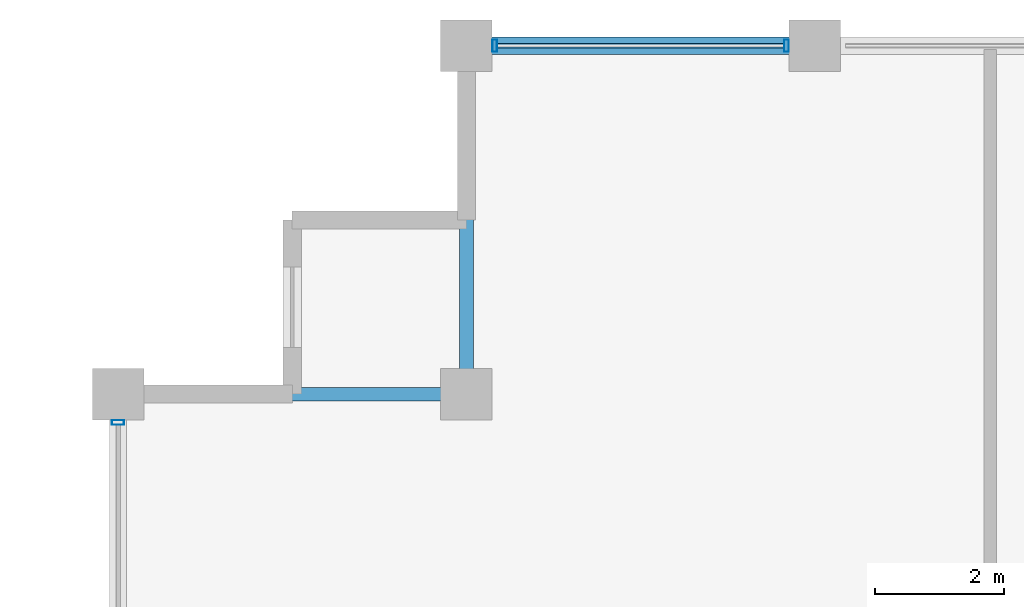
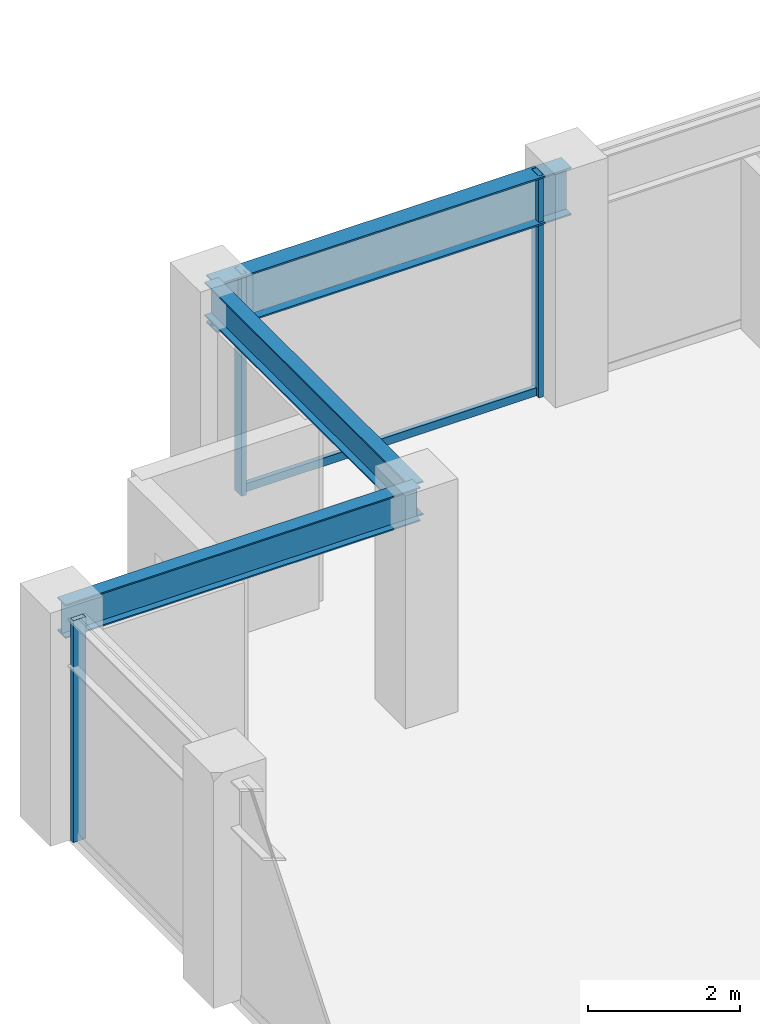
# One storey, part 16 of 30: 4 members, 3 beams, 2 elements without a shape of their own.
"""IFC4 building model written with IfcOpenShell, lengths in metres."""

from ifc_helpers import new_model, si_unit, direction, frame, origin, origin_2d, place, context, subcontext, project, spatial, hollow_rectangle, i_section, extrude, material, layer, layer_set, material_profile, profile_set, type_object, element, aggregate, save


model = new_model("IFC4")

# Units and contexts
model_context = context("Model", 3, precision=1e-05, world=origin(), true_north=direction((0.0, 1.0)))
body_context = subcontext(model_context, "Body", "Model", "MODEL_VIEW")
ifc_project = project(units=[si_unit("LENGTHUNIT", "METRE"), si_unit("AREAUNIT", "SQUARE_METRE"), si_unit("VOLUMEUNIT", "CUBIC_METRE"), si_unit("PLANEANGLEUNIT", "RADIAN"), si_unit("MASSUNIT", "GRAM", prefix="KILO")], contexts=[model_context])

# Site, building, storey
site_placement = place(None, origin())
site = spatial("IfcSite", under=ifc_project, at=site_placement, CompositionType="ELEMENT")
building_placement = place(site_placement, origin())
building = spatial("IfcBuilding", under=site, at=building_placement, Name="Surkhivell Harbour Commons", CompositionType="ELEMENT")
storey_placement = place(building_placement, frame((0.0, 0.0, 231.0)))
storey = spatial("IfcBuildingStorey", under=building, at=storey_placement, Name="L60", CompositionType="ELEMENT", Elevation=231.0)

# Beams
ifc_material_1 = material(Name="Steel S355", Category="steel")
ifc_material_profile_1 = material_profile(ifc_material_1, i_section(OverallWidth=0.2119140625, OverallDepth=0.5439453125, WebThickness=0.0126953125, FlangeThickness=0.021240234375, at=origin_2d()), Name="UB533x210x122")
ifc_profile_set_1 = profile_set([ifc_material_profile_1], Name="Steel S355")
beam_type_1 = type_object("IfcBeamType", Name="BM-GRD-533A", PredefinedType="BEAM", material=ifc_profile_set_1)
for number, where, z_axis, x_axis, name in (
    (1, (-27.0, 20.5, 3.298095703125), (1.0, 0.0, 0.0), (0.0, 1.0, 0.0), "L60 Floor Girder (-27.0,20.5)"),
    (2, (-21.60009765625, 20.5, 3.298095703125), (0.0, 1.0, 0.0), (-1.0, 0.0, 0.0), "L60 Floor Girder (-21.6,20.5)"),
):
    element("IfcBeam", number, at=place(storey_placement, frame(where, z_axis=z_axis, x_axis=x_axis)), inside=storey, type_object=beam_type_1, Name=name, PredefinedType="BEAM", context=body_context, shape_type="SweptSolid", body=[
        extrude(i_section(OverallWidth=0.2119140625, OverallDepth=0.5439453125, WebThickness=0.0126953125, FlangeThickness=0.021240234375, at=origin_2d()), origin(), (0.0, 0.0, 1.0), 5.39990234375),
    ])
ifc_material_profile_2 = material_profile(ifc_material_1, i_section(OverallWidth=0.26806640625, OverallDepth=0.77001953125, WebThickness=0.015625, FlangeThickness=0.025390625, at=origin_2d()), Name="UB762x267x197")
ifc_profile_set_2 = profile_set([ifc_material_profile_2], Name="Steel S355")
beam_type_2 = type_object("IfcBeamType", Name="BM-SPN-762", PredefinedType="SPANDREL", material=ifc_profile_set_2)
beam_placement = place(storey_placement, frame((-21.60009765625, 25.89990234375, 3.18505859375), z_axis=(1.0, 0.0, 0.0), x_axis=(0.0, 1.0, 0.0)))
element("IfcBeam", 3, at=beam_placement, inside=storey, type_object=beam_type_2, Name="L60 Tube Spandrel (-21.6,25.9)", PredefinedType="SPANDREL", context=body_context, shape_type="SweptSolid", body=[
    extrude(i_section(OverallWidth=0.26806640625, OverallDepth=0.77001953125, WebThickness=0.015625, FlangeThickness=0.025390625, at=origin_2d()), origin(), (0.0, 0.0, 1.0), 5.400146484375),
])

# Curtain wall, members
ifc_material_2 = material(Name="Anodised pale-metal aluminium and insulated glazing", Category="aluminium")
ifc_layer = layer(ifc_material_2, 0.18994140625)
ifc_layer_set = layer_set([ifc_layer], Name="Anodised pale-metal aluminium and insulated glazing")
curtain_wall_type = type_object("IfcCurtainWallType", Name="CW-SYS-Z3", PredefinedType="NOTDEFINED", material=ifc_layer_set)
curtain_wall_1_placement = place(storey_placement, origin())
curtain_wall_1 = element("IfcCurtainWall", 4, at=curtain_wall_1_placement, inside=storey, type_object=curtain_wall_type, Name="L60 Curtain Wall CW-L60-E07S2", PredefinedType="NOTDEFINED")
ifc_material_3 = material(Name="Anodised pale-metal aluminium alloy 6063-T6", Category="aluminium")
ifc_material_profile_3 = material_profile(ifc_material_3, hollow_rectangle(XDim=0.074951171875, YDim=0.18994140625, WallThickness=0.00390625, at=origin_2d()), Name="ALU-MULL-75x190")
ifc_profile_set_3 = profile_set([ifc_material_profile_3], Name="Anodised pale-metal aluminium alloy 6063-T6")
member_type_1 = type_object("IfcMemberType", Name="CWM-190", PredefinedType="MULLION", material=ifc_profile_set_3)
member_1_placement = place(storey_placement, frame((-16.639404296875, 25.89990234375, 0.0), z_axis=(0.0, 0.0, 1.0), x_axis=(-1.0, 0.0, 0.0)))
member_1 = element("IfcMember", 5, at=member_1_placement, type_object=member_type_1, Name="CW-Z3 mullion 3", PredefinedType="MULLION", context=body_context, shape_type="SweptSolid", body=[
    extrude(hollow_rectangle(XDim=0.074951171875, YDim=0.18994140625, WallThickness=0.00390625, at=origin_2d()), origin(), (0.0, 0.0, 1.0), 3.570068359375),
])
member_2_placement = place(storey_placement, frame((-21.160400390625, 25.89990234375, 0.0), z_axis=(0.0, 0.0, 1.0), x_axis=(-1.0, 0.0, 0.0)))
member_2 = element("IfcMember", 6, at=member_2_placement, type_object=member_type_1, Name="CW-Z3 mullion 4", PredefinedType="MULLION", context=body_context, shape_type="SweptSolid", body=[
    extrude(hollow_rectangle(XDim=0.074951171875, YDim=0.18994140625, WallThickness=0.00390625, at=origin_2d()), origin(), (0.0, 0.0, 1.0), 3.570068359375),
])

# Curtain wall, member
curtain_wall_2_placement = place(storey_placement, origin())
curtain_wall_2 = element("IfcCurtainWall", 7, at=curtain_wall_2_placement, inside=storey, type_object=curtain_wall_type, Name="L60 Curtain Wall CW-L60-E12R2", PredefinedType="NOTDEFINED")
member_3_placement = place(storey_placement, frame((-27.0, 20.060546875, 0.0), z_axis=(0.0, 0.0, 1.0), x_axis=(0.0, 1.0, 0.0)))
member_3 = element("IfcMember", 8, at=member_3_placement, type_object=member_type_1, Name="CW-Z3 mullion 4", PredefinedType="MULLION", context=body_context, shape_type="SweptSolid", body=[
    extrude(hollow_rectangle(XDim=0.074951171875, YDim=0.18994140625, WallThickness=0.00390625, at=origin_2d()), origin(), (0.0, 0.0, 1.0), 3.570068359375),
])
aggregate(curtain_wall_2, [member_3])

# Member
ifc_material_4 = material(Name="Champagne anodised aluminium alloy 6063-T6", Category="aluminium")
ifc_material_profile_4 = material_profile(ifc_material_4, hollow_rectangle(XDim=0.070068359375, YDim=0.1298828125, WallThickness=0.00341796875, at=origin_2d()), Name="ALU-TRAN-70x130")
ifc_profile_set_4 = profile_set([ifc_material_profile_4], Name="Champagne anodised aluminium alloy 6063-T6")
member_type_2 = type_object("IfcMemberType", Name="CWT-130", PredefinedType="USERDEFINED", material=ifc_profile_set_4)
member_4_placement = place(storey_placement, frame((-16.677001953125, 25.89990234375, 0.06494140625), z_axis=(-1.0, 0.0, 0.0), x_axis=(0.0, -1.0, 0.0)))
member_4 = element("IfcMember", 9, at=member_4_placement, type_object=member_type_2, Name="CW-Z3 transom 3.1", ObjectType="TRANSOM", PredefinedType="USERDEFINED", context=body_context, shape_type="SweptSolid", body=[
    extrude(hollow_rectangle(XDim=0.070068359375, YDim=0.1298828125, WallThickness=0.00341796875, at=origin_2d()), origin(), (0.0, 0.0, 1.0), 4.446044921875),
])

aggregate(curtain_wall_1, [member_1, member_2, member_4])

save(model, "model.ifc")
